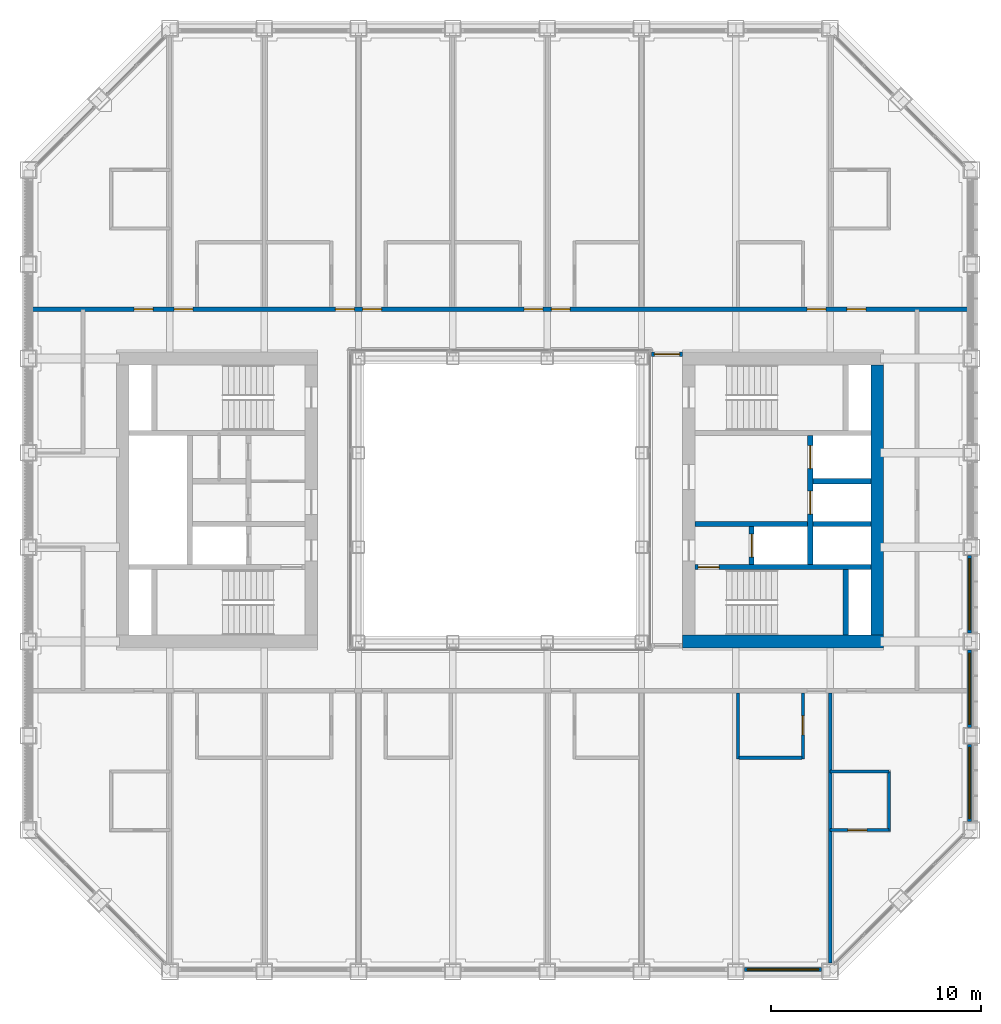
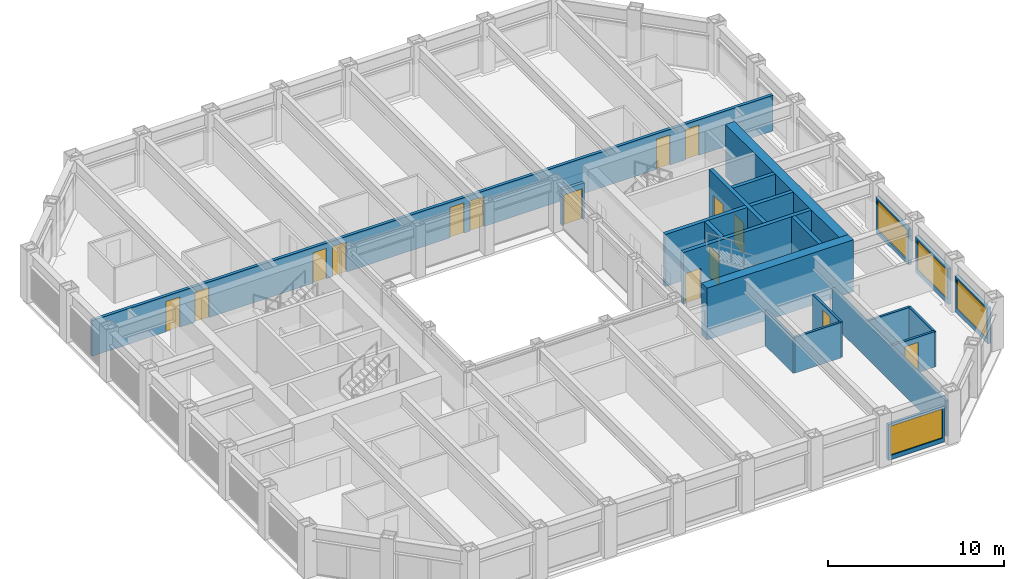
# One storey, part 12 of 17: 22 walls, 15 doors, 4 windows, 19 openings.
"""IFC4 building model written with IfcOpenShell, lengths in metres."""

from ifc_helpers import new_model, si_unit, direction, frame, frame_2d, origin, place, context, subcontext, project, spatial, rectangle, extrude, material, layer, layer_set, type_object, element, fill, save


model = new_model("IFC4")

# Units and contexts
model_context = context("Model", 3, precision=1e-05, world=origin(), true_north=direction((0.0, 1.0)))
body_context = subcontext(model_context, "Body", "Model", "MODEL_VIEW")
ifc_project = project(units=[si_unit("LENGTHUNIT", "METRE"), si_unit("AREAUNIT", "SQUARE_METRE"), si_unit("VOLUMEUNIT", "CUBIC_METRE"), si_unit("PLANEANGLEUNIT", "RADIAN"), si_unit("MASSUNIT", "GRAM", prefix="KILO")], contexts=[model_context])

# Site, building, storey
site_placement = place(None, origin())
site = spatial("IfcSite", under=ifc_project, at=site_placement, CompositionType="ELEMENT")
building_placement = place(site_placement, origin())
building = spatial("IfcBuilding", under=site, at=building_placement, Name="Msasa Ring Tower", CompositionType="ELEMENT")
storey_placement = place(building_placement, frame((0.0, 0.0, 140.0)))
storey = spatial("IfcBuildingStorey", under=building, at=storey_placement, Name="L36", CompositionType="ELEMENT", Elevation=140.0)

# Walls
ifc_material_1 = material(Name="Concrete C60/75", Category="concrete")
ifc_layer_1 = layer(ifc_material_1, 0.60009765625)
ifc_layer_set_1 = layer_set([ifc_layer_1], Name="CW2 CORE WALL 600")
wall_type_1 = type_object("IfcWallType", Name="CW2 CORE WALL 600", PredefinedType="SHEAR", material=ifc_layer_set_1)
wall_1_placement = place(storey_placement, frame((8.699951171875, -6.75, 0.0), z_axis=(0.0, 0.0, 1.0), x_axis=(1.0, 0.0, 0.0)))
element("IfcWall", 1, at=wall_1_placement, inside=storey, type_object=wall_type_1, Name="E core wall S L36", PredefinedType="SHEAR", context=body_context, shape_type="SweptSolid", body=[
    extrude(rectangle(XDim=9.60009765625, YDim=0.60009765625, at=frame_2d((4.800048828125, 0.0))), origin(), (0.0, 0.0, 1.0), 3.60009765625),
])
wall_2_placement = place(storey_placement, frame((18.0, -6.449951171875, 0.0), z_axis=(0.0, 0.0, 1.0), x_axis=(0.0, 1.0, 0.0)))
element("IfcWall", 2, at=wall_2_placement, inside=storey, type_object=wall_type_1, Name="E core wall E L36", PredefinedType="SHEAR", context=body_context, shape_type="SweptSolid", body=[
    extrude(rectangle(XDim=12.89990234375, YDim=0.60009765625, at=frame_2d((6.449951171875, 0.0))), origin(), (0.0, 0.0, 1.0), 3.60009765625),
])

# Wall, opening, door
ifc_material_2 = material(Name="Concrete C60/75", Category="concrete")
ifc_layer_2 = layer(ifc_material_2, 0.25)
ifc_layer_set_2 = layer_set([ifc_layer_2], Name="CW4 CORE INNER WALL 250")
wall_type_2 = type_object("IfcWallType", Name="CW4 CORE INNER WALL 250", PredefinedType="SHEAR", material=ifc_layer_set_2)
wall_3_placement = place(storey_placement, frame((9.300048828125, -3.199951171875, 0.0), z_axis=(0.0, 0.0, 1.0), x_axis=(1.0, 0.0, 0.0)))
wall_3 = element("IfcWall", 3, at=wall_3_placement, inside=storey, type_object=wall_type_2, Name="E core wall STAIRA L36", PredefinedType="SHEAR", context=body_context, shape_type="SweptSolid", body=[
    extrude(rectangle(XDim=8.39990234375, YDim=0.25, at=frame_2d((4.199951171875, 0.0))), origin(), (0.0, 0.0, 1.0), 3.60009765625),
])
opening_1_placement = place(wall_3_placement, frame((0.14990234375, 0.0, 0.0)))
opening_1 = element("IfcOpeningElement", 4, at=opening_1_placement, cuts=wall_3, Name="Opening HC-031", PredefinedType="OPENING", context=body_context, shape_type="SweptSolid", body=[
    extrude(rectangle(XDim=1.0, YDim=2.10009765625, at=frame_2d((0.5, 1.050048828125))), frame((0.0, 0.135009765625, 0.0), z_axis=(0.0, -1.0, 0.0), x_axis=(1.0, 0.0, 0.0)), (0.0, 0.0, 1.0), 0.27001953125),
])
ifc_material_3 = material(Name="Timber door leaf in a steel frame", Category="steel")
door_type_1 = type_object("IfcDoorType", Name="D6 STAIR DOOR 1000x2100", OperationType="SINGLE_SWING_LEFT", PredefinedType="DOOR", material=ifc_material_3)
door_1_placement = place(opening_1_placement, origin())
door_1 = element("IfcDoor", 5, at=door_1_placement, inside=storey, type_object=door_type_1, Name="Door L36-ESTA", OperationType="SINGLE_SWING_LEFT", OverallHeight=2.10009765625, OverallWidth=1.0, PredefinedType="DOOR", context=body_context, shape_type="SweptSolid", body=[
    extrude(rectangle(XDim=1.0, YDim=2.10009765625, at=frame_2d((0.5, 1.050048828125))), frame((0.0, 0.02490234375, 0.0), z_axis=(0.0, -1.0, 0.0), x_axis=(1.0, 0.0, 0.0)), (0.0, 0.0, 1.0), 0.050048828125),
])
fill(opening_1, door_1)

# Walls
wall_4_placement = place(storey_placement, frame((16.5, -6.449951171875, 0.0), z_axis=(0.0, 0.0, 1.0), x_axis=(0.0, 1.0, 0.0)))
element("IfcWall", 6, at=wall_4_placement, inside=storey, type_object=wall_type_2, Name="E core wall RISERA L36", PredefinedType="SHEAR", context=body_context, shape_type="SweptSolid", body=[
    extrude(rectangle(XDim=3.125, YDim=0.25, at=frame_2d((1.5625, 0.0))), origin(), (0.0, 0.0, 1.0), 3.60009765625),
])
wall_5_placement = place(storey_placement, frame((9.300048828125, -1.14990234375, 0.0), z_axis=(0.0, 0.0, 1.0), x_axis=(1.0, 0.0, 0.0)))
element("IfcWall", 7, at=wall_5_placement, inside=storey, type_object=wall_type_2, Name="E core wall FFL L36", PredefinedType="SHEAR", context=body_context, shape_type="SweptSolid", body=[
    extrude(rectangle(XDim=5.375, YDim=0.25, at=frame_2d((2.6875, 0.0))), origin(), (0.0, 0.0, 1.0), 3.60009765625),
])

# Wall, opening, door
wall_6_placement = place(storey_placement, frame((12.0, -3.074951171875, 0.0), z_axis=(0.0, 0.0, 1.0), x_axis=(0.0, 1.0, 0.0)))
wall_6 = element("IfcWall", 8, at=wall_6_placement, inside=storey, type_object=wall_type_2, Name="E core wall LOBBY L36", PredefinedType="SHEAR", context=body_context, shape_type="SweptSolid", body=[
    extrude(rectangle(XDim=1.800048828125, YDim=0.25, at=frame_2d((0.89990234375, 0.0))), origin(), (0.0, 0.0, 1.0), 3.60009765625),
])
opening_2_placement = place(wall_6_placement, frame((0.35009765625, 0.0, 0.0)))
opening_2 = element("IfcOpeningElement", 9, at=opening_2_placement, cuts=wall_6, Name="Opening LD1", PredefinedType="OPENING", context=body_context, shape_type="SweptSolid", body=[
    extrude(rectangle(XDim=1.10009765625, YDim=2.10009765625, at=frame_2d((0.550048828125, 1.050048828125))), frame((0.0, 0.135009765625, 0.0), z_axis=(0.0, -1.0, 0.0), x_axis=(1.0, 0.0, 0.0)), (0.0, 0.0, 1.0), 0.27001953125),
])
ifc_material_4 = material(Name="Stainless steel lift landing door", Category="steel")
door_type_2 = type_object("IfcDoorType", Name="LD1 LIFT LANDING DOOR 1100x2100", OperationType="DOUBLE_DOOR_SLIDING", PredefinedType="DOOR", material=ifc_material_4)
door_2_placement = place(opening_2_placement, origin())
door_2 = element("IfcDoor", 10, at=door_2_placement, inside=storey, type_object=door_type_2, Name="Lift landing door FL-E L36", OperationType="DOUBLE_DOOR_SLIDING", OverallHeight=2.10009765625, OverallWidth=1.10009765625, PredefinedType="DOOR", context=body_context, shape_type="SweptSolid", body=[
    extrude(rectangle(XDim=1.10009765625, YDim=2.10009765625, at=frame_2d((0.550048828125, 1.050048828125))), frame((0.0, 0.02490234375, 0.0), z_axis=(0.0, -1.0, 0.0), x_axis=(1.0, 0.0, 0.0)), (0.0, 0.0, 1.0), 0.050048828125),
])
fill(opening_2, door_2)

# Wall, openings, doors
wall_7_placement = place(storey_placement, frame((14.800048828125, -3.074951171875, 0.0), z_axis=(0.0, 0.0, 1.0), x_axis=(0.0, 1.0, 0.0)))
wall_7 = element("IfcWall", 11, at=wall_7_placement, inside=storey, type_object=wall_type_2, Name="E core wall SHAFT L36", PredefinedType="SHEAR", context=body_context, shape_type="SweptSolid", body=[
    extrude(rectangle(XDim=6.14990234375, YDim=0.25, at=frame_2d((3.074951171875, 0.0))), origin(), (0.0, 0.0, 1.0), 3.60009765625),
])
opening_3_placement = place(wall_7_placement, frame((2.39990234375, 0.0, 0.0)))
opening_3 = element("IfcOpeningElement", 12, at=opening_3_placement, cuts=wall_7, Name="Opening LD1", PredefinedType="OPENING", context=body_context, shape_type="SweptSolid", body=[
    extrude(rectangle(XDim=1.10009765625, YDim=2.10009765625, at=frame_2d((0.550048828125, 1.050048828125))), frame((0.0, 0.135009765625, 0.0), z_axis=(0.0, -1.0, 0.0), x_axis=(1.0, 0.0, 0.0)), (0.0, 0.0, 1.0), 0.27001953125),
])
opening_4_placement = place(wall_7_placement, frame((4.574951171875, 0.0, 0.0)))
opening_4 = element("IfcOpeningElement", 13, at=opening_4_placement, cuts=wall_7, Name="Opening LD1", PredefinedType="OPENING", context=body_context, shape_type="SweptSolid", body=[
    extrude(rectangle(XDim=1.10009765625, YDim=2.10009765625, at=frame_2d((0.550048828125, 1.050048828125))), frame((0.0, 0.135009765625, 0.0), z_axis=(0.0, -1.0, 0.0), x_axis=(1.0, 0.0, 0.0)), (0.0, 0.0, 1.0), 0.27001953125),
])
door_3_placement = place(opening_3_placement, origin())
door_3 = element("IfcDoor", 14, at=door_3_placement, inside=storey, type_object=door_type_2, Name="Lift landing door PL-H1 L36", OperationType="DOUBLE_DOOR_SLIDING", OverallHeight=2.10009765625, OverallWidth=1.10009765625, PredefinedType="DOOR", context=body_context, shape_type="SweptSolid", body=[
    extrude(rectangle(XDim=1.10009765625, YDim=2.10009765625, at=frame_2d((0.550048828125, 1.050048828125))), frame((0.0, 0.02490234375, 0.0), z_axis=(0.0, -1.0, 0.0), x_axis=(1.0, 0.0, 0.0)), (0.0, 0.0, 1.0), 0.050048828125),
])
fill(opening_3, door_3)
door_4_placement = place(opening_4_placement, origin())
door_4 = element("IfcDoor", 15, at=door_4_placement, inside=storey, type_object=door_type_2, Name="Lift landing door PL-H2 L36", OperationType="DOUBLE_DOOR_SLIDING", OverallHeight=2.10009765625, OverallWidth=1.10009765625, PredefinedType="DOOR", context=body_context, shape_type="SweptSolid", body=[
    extrude(rectangle(XDim=1.10009765625, YDim=2.10009765625, at=frame_2d((0.550048828125, 1.050048828125))), frame((0.0, 0.02490234375, 0.0), z_axis=(0.0, -1.0, 0.0), x_axis=(1.0, 0.0, 0.0)), (0.0, 0.0, 1.0), 0.050048828125),
])
fill(opening_4, door_4)

# Walls
for number, where, z_axis, x_axis, name in (
    (16, (14.925048828125, -1.14990234375, 0.0), (0.0, 0.0, 1.0), (1.0, 0.0, 0.0), "E core wall HSEP L36"),
    (17, (14.925048828125, 0.89990234375, 0.0), (0.0, 0.0, 1.0), (1.0, 0.0, 0.0), "E core wall HLIFT L36"),
):
    element("IfcWall", number, at=place(storey_placement, frame(where, z_axis=z_axis, x_axis=x_axis)), inside=storey, type_object=wall_type_2, Name=name, PredefinedType="SHEAR", context=body_context, shape_type="SweptSolid", body=[
        extrude(rectangle(XDim=2.77490234375, YDim=0.25, at=frame_2d((1.387451171875, 0.0))), origin(), (0.0, 0.0, 1.0), 3.60009765625),
    ])

# Wall, opening, window
ifc_material_5 = material(Name="Terracotta rainscreen on blockwork", Category="masonry")
ifc_layer_3 = layer(ifc_material_5, 0.199951171875)
ifc_layer_set_3 = layer_set([ifc_layer_3], Name="FW1 TERRACOTTA-LINED INFILL BAY WALL 200")
wall_type_3 = type_object("IfcWallType", Name="FW1 TERRACOTTA-LINED INFILL BAY WALL 200", PredefinedType="SOLIDWALL", material=ifc_layer_set_3)
wall_8_placement = place(storey_placement, frame((11.655029296875, -22.39990234375, 0.0), z_axis=(0.0, 0.0, 1.0), x_axis=(1.0, 0.0, 0.0)))
wall_8 = element("IfcWall", 18, at=wall_8_placement, inside=storey, type_object=wall_type_3, Name="Infill bay wall S L36 06", PredefinedType="SOLIDWALL", context=body_context, shape_type="SweptSolid", body=[
    extrude(rectangle(XDim=3.68994140625, YDim=0.199951171875, at=frame_2d((1.844970703125, 0.0))), origin(), (0.0, 0.0, 1.0), 2.47900390625),
])
opening_5_placement = place(wall_8_placement, frame((0.14501953125, 0.0, 0.300048828125)))
opening_5 = element("IfcOpeningElement", 19, at=opening_5_placement, cuts=wall_8, Name="Opening WN2", PredefinedType="OPENING", context=body_context, shape_type="SweptSolid", body=[
    extrude(rectangle(XDim=3.39990234375, YDim=2.029052734375, at=frame_2d((1.699951171875, 1.0146484375))), frame((0.0, 0.10986328125, 0.0), z_axis=(0.0, -1.0, 0.0), x_axis=(1.0, 0.0, 0.0)), (0.0, 0.0, 1.0), 0.219970703125),
])
ifc_material_6 = material(Name="Aluminium frame with clear glass", Category="aluminium")
window_type = type_object("IfcWindowType", Name="WN2 GUEST ROOM WINDOW 3400x2029", PartitioningType="SINGLE_PANEL", PredefinedType="WINDOW", material=ifc_material_6)
window_1_placement = place(opening_5_placement, origin())
window_1 = element("IfcWindow", 20, at=window_1_placement, inside=storey, type_object=window_type, Name="Window S L36 06", OverallHeight=2.029052734375, OverallWidth=3.39990234375, PartitioningType="SINGLE_PANEL", PredefinedType="WINDOW", context=body_context, shape_type="SweptSolid", body=[
    extrude(rectangle(XDim=3.39990234375, YDim=2.029052734375, at=frame_2d((1.699951171875, 1.0146484375))), frame((0.0, 0.030029296875, 0.0), z_axis=(0.0, -1.0, 0.0), x_axis=(1.0, 0.0, 0.0)), (0.0, 0.0, 1.0), 0.06005859375),
])
fill(opening_5, window_1)

wall_9_placement = place(storey_placement, frame((22.39990234375, -15.344970703125, 0.0), z_axis=(0.0, 0.0, 1.0), x_axis=(0.0, 1.0, 0.0)))
wall_9 = element("IfcWall", 21, at=wall_9_placement, inside=storey, type_object=wall_type_3, Name="Infill bay wall E L36 09", PredefinedType="SOLIDWALL", context=body_context, shape_type="SweptSolid", body=[
    extrude(rectangle(XDim=3.68994140625, YDim=0.199951171875, at=frame_2d((1.844970703125, 0.0))), origin(), (0.0, 0.0, 1.0), 2.47900390625),
])
opening_6_placement = place(wall_9_placement, frame((0.14501953125, 0.0, 0.300048828125)))
opening_6 = element("IfcOpeningElement", 22, at=opening_6_placement, cuts=wall_9, Name="Opening WN2", PredefinedType="OPENING", context=body_context, shape_type="SweptSolid", body=[
    extrude(rectangle(XDim=3.39990234375, YDim=2.029052734375, at=frame_2d((1.699951171875, 1.0146484375))), frame((0.0, 0.10986328125, 0.0), z_axis=(0.0, -1.0, 0.0), x_axis=(1.0, 0.0, 0.0)), (0.0, 0.0, 1.0), 0.219970703125),
])
window_2_placement = place(opening_6_placement, origin())
window_2 = element("IfcWindow", 23, at=window_2_placement, inside=storey, type_object=window_type, Name="Window E L36 09", OverallHeight=2.029052734375, OverallWidth=3.39990234375, PartitioningType="SINGLE_PANEL", PredefinedType="WINDOW", context=body_context, shape_type="SweptSolid", body=[
    extrude(rectangle(XDim=3.39990234375, YDim=2.029052734375, at=frame_2d((1.699951171875, 1.0146484375))), frame((0.0, 0.030029296875, 0.0), z_axis=(0.0, -1.0, 0.0), x_axis=(1.0, 0.0, 0.0)), (0.0, 0.0, 1.0), 0.06005859375),
])
fill(opening_6, window_2)

wall_10_placement = place(storey_placement, frame((22.39990234375, -10.844970703125, 0.0), z_axis=(0.0, 0.0, 1.0), x_axis=(0.0, 1.0, 0.0)))
wall_10 = element("IfcWall", 24, at=wall_10_placement, inside=storey, type_object=wall_type_3, Name="Infill bay wall E L36 10", PredefinedType="SOLIDWALL", context=body_context, shape_type="SweptSolid", body=[
    extrude(rectangle(XDim=3.68994140625, YDim=0.199951171875, at=frame_2d((1.844970703125, 0.0))), origin(), (0.0, 0.0, 1.0), 2.47900390625),
])
opening_7_placement = place(wall_10_placement, frame((0.14501953125, 0.0, 0.300048828125)))
opening_7 = element("IfcOpeningElement", 25, at=opening_7_placement, cuts=wall_10, Name="Opening WN2", PredefinedType="OPENING", context=body_context, shape_type="SweptSolid", body=[
    extrude(rectangle(XDim=3.39990234375, YDim=2.029052734375, at=frame_2d((1.699951171875, 1.0146484375))), frame((0.0, 0.10986328125, 0.0), z_axis=(0.0, -1.0, 0.0), x_axis=(1.0, 0.0, 0.0)), (0.0, 0.0, 1.0), 0.219970703125),
])
window_3_placement = place(opening_7_placement, origin())
window_3 = element("IfcWindow", 26, at=window_3_placement, inside=storey, type_object=window_type, Name="Window E L36 10", OverallHeight=2.029052734375, OverallWidth=3.39990234375, PartitioningType="SINGLE_PANEL", PredefinedType="WINDOW", context=body_context, shape_type="SweptSolid", body=[
    extrude(rectangle(XDim=3.39990234375, YDim=2.029052734375, at=frame_2d((1.699951171875, 1.0146484375))), frame((0.0, 0.030029296875, 0.0), z_axis=(0.0, -1.0, 0.0), x_axis=(1.0, 0.0, 0.0)), (0.0, 0.0, 1.0), 0.06005859375),
])
fill(opening_7, window_3)

wall_11_placement = place(storey_placement, frame((22.39990234375, -6.344970703125, 0.0), z_axis=(0.0, 0.0, 1.0), x_axis=(0.0, 1.0, 0.0)))
wall_11 = element("IfcWall", 27, at=wall_11_placement, inside=storey, type_object=wall_type_3, Name="Infill bay wall E L36 11", PredefinedType="SOLIDWALL", context=body_context, shape_type="SweptSolid", body=[
    extrude(rectangle(XDim=3.68994140625, YDim=0.199951171875, at=frame_2d((1.844970703125, 0.0))), origin(), (0.0, 0.0, 1.0), 2.47900390625),
])
opening_8_placement = place(wall_11_placement, frame((0.14501953125, 0.0, 0.300048828125)))
opening_8 = element("IfcOpeningElement", 28, at=opening_8_placement, cuts=wall_11, Name="Opening WN2", PredefinedType="OPENING", context=body_context, shape_type="SweptSolid", body=[
    extrude(rectangle(XDim=3.39990234375, YDim=2.029052734375, at=frame_2d((1.699951171875, 1.0146484375))), frame((0.0, 0.10986328125, 0.0), z_axis=(0.0, -1.0, 0.0), x_axis=(1.0, 0.0, 0.0)), (0.0, 0.0, 1.0), 0.219970703125),
])
window_4_placement = place(opening_8_placement, origin())
window_4 = element("IfcWindow", 29, at=window_4_placement, inside=storey, type_object=window_type, Name="Window E L36 11", OverallHeight=2.029052734375, OverallWidth=3.39990234375, PartitioningType="SINGLE_PANEL", PredefinedType="WINDOW", context=body_context, shape_type="SweptSolid", body=[
    extrude(rectangle(XDim=3.39990234375, YDim=2.029052734375, at=frame_2d((1.699951171875, 1.0146484375))), frame((0.0, 0.030029296875, 0.0), z_axis=(0.0, -1.0, 0.0), x_axis=(1.0, 0.0, 0.0)), (0.0, 0.0, 1.0), 0.06005859375),
])
fill(opening_8, window_4)

# Wall, opening, door
ifc_material_7 = material(Name="Concrete blockwork", Category="masonry")
ifc_layer_4 = layer(ifc_material_7, 0.199951171875)
ifc_layer_set_4 = layer_set([ifc_layer_4], Name="PT1 CORRIDOR WALL 200")
wall_type_4 = type_object("IfcWallType", Name="PT1 CORRIDOR WALL 200", PredefinedType="PARTITIONING", material=ifc_layer_set_4)
wall_12_placement = place(storey_placement, frame((7.22998046875, 6.949951171875, 0.0), z_axis=(0.0, 0.0, 1.0), x_axis=(1.0, 0.0, 0.0)))
wall_12 = element("IfcWall", 30, at=wall_12_placement, inside=storey, type_object=wall_type_4, Name="Corridor wall L36-SDEN", PredefinedType="PARTITIONING", context=body_context, shape_type="SweptSolid", body=[
    extrude(rectangle(XDim=1.469970703125, YDim=0.199951171875, at=frame_2d((0.73486328125, 0.0))), origin(), (0.0, 0.0, 1.0), 2.473388671875),
])
opening_9_placement = place(wall_12_placement, frame((0.135009765625, 0.0, 0.0)))
opening_9 = element("IfcOpeningElement", 31, at=opening_9_placement, cuts=wall_12, Name="Opening HC-017", PredefinedType="OPENING", context=body_context, shape_type="SweptSolid", body=[
    extrude(rectangle(XDim=1.199951171875, YDim=2.10009765625, at=frame_2d((0.60009765625, 1.050048828125))), frame((0.0, 0.10986328125, 0.0), z_axis=(0.0, -1.0, 0.0), x_axis=(1.0, 0.0, 0.0)), (0.0, 0.0, 1.0), 0.219970703125),
])
ifc_material_8 = material(Name="Timber door leaf in a steel frame", Category="steel")
door_type_3 = type_object("IfcDoorType", Name="D25 CORRIDOR PAIR OF SMOKE DOORS 1200x2100", OperationType="DOUBLE_DOOR_DOUBLE_SWING", PredefinedType="DOOR", material=ifc_material_8)
door_5_placement = place(opening_9_placement, origin())
door_5 = element("IfcDoor", 32, at=door_5_placement, inside=storey, type_object=door_type_3, Name="Door L36-SDEN", OperationType="DOUBLE_DOOR_DOUBLE_SWING", OverallHeight=2.10009765625, OverallWidth=1.199951171875, PredefinedType="DOOR", context=body_context, shape_type="SweptSolid", body=[
    extrude(rectangle(XDim=1.199951171875, YDim=2.10009765625, at=frame_2d((0.60009765625, 1.050048828125))), frame((0.0, 0.02490234375, 0.0), z_axis=(0.0, -1.0, 0.0), x_axis=(1.0, 0.0, 0.0)), (0.0, 0.0, 1.0), 0.050048828125),
])
fill(opening_9, door_5)

# Wall, openings, doors
wall_13_placement = place(storey_placement, frame((-22.300048828125, 9.10009765625, 0.0), z_axis=(0.0, 0.0, 1.0), x_axis=(1.0, 0.0, 0.0)))
wall_13 = element("IfcWall", 33, at=wall_13_placement, inside=storey, type_object=wall_type_4, Name="Corridor wall L36-CORRN0", PredefinedType="PARTITIONING", context=body_context, shape_type="SweptSolid", body=[
    extrude(rectangle(XDim=44.60009765625, YDim=0.199951171875, at=frame_2d((22.300048828125, 0.0))), origin(), (0.0, 0.0, 1.0), 2.473388671875),
])
opening_10_placement = place(wall_13_placement, frame((6.75, 0.0, 0.0)))
opening_10 = element("IfcOpeningElement", 34, at=opening_10_placement, cuts=wall_13, Name="Opening HC-010", PredefinedType="OPENING", context=body_context, shape_type="SweptSolid", body=[
    extrude(rectangle(XDim=0.89990234375, YDim=2.10009765625, at=frame_2d((0.449951171875, 1.050048828125))), frame((0.0, 0.10986328125, 0.0), z_axis=(0.0, -1.0, 0.0), x_axis=(1.0, 0.0, 0.0)), (0.0, 0.0, 1.0), 0.219970703125),
])
opening_11_placement = place(wall_13_placement, frame((14.449951171875, 0.0, 0.0)))
opening_11 = element("IfcOpeningElement", 35, at=opening_11_placement, cuts=wall_13, Name="Opening HC-011", PredefinedType="OPENING", context=body_context, shape_type="SweptSolid", body=[
    extrude(rectangle(XDim=0.89990234375, YDim=2.10009765625, at=frame_2d((0.449951171875, 1.050048828125))), frame((0.0, 0.10986328125, 0.0), z_axis=(0.0, -1.0, 0.0), x_axis=(1.0, 0.0, 0.0)), (0.0, 0.0, 1.0), 0.219970703125),
])
opening_12_placement = place(wall_13_placement, frame((15.75, 0.0, 0.0)))
opening_12 = element("IfcOpeningElement", 36, at=opening_12_placement, cuts=wall_13, Name="Opening HC-012", PredefinedType="OPENING", context=body_context, shape_type="SweptSolid", body=[
    extrude(rectangle(XDim=0.89990234375, YDim=2.10009765625, at=frame_2d((0.449951171875, 1.050048828125))), frame((0.0, 0.10986328125, 0.0), z_axis=(0.0, -1.0, 0.0), x_axis=(1.0, 0.0, 0.0)), (0.0, 0.0, 1.0), 0.219970703125),
])
opening_13_placement = place(wall_13_placement, frame((23.449951171875, 0.0, 0.0)))
opening_13 = element("IfcOpeningElement", 37, at=opening_13_placement, cuts=wall_13, Name="Opening HC-013", PredefinedType="OPENING", context=body_context, shape_type="SweptSolid", body=[
    extrude(rectangle(XDim=0.89990234375, YDim=2.10009765625, at=frame_2d((0.449951171875, 1.050048828125))), frame((0.0, 0.10986328125, 0.0), z_axis=(0.0, -1.0, 0.0), x_axis=(1.0, 0.0, 0.0)), (0.0, 0.0, 1.0), 0.219970703125),
])
opening_14_placement = place(wall_13_placement, frame((24.75, 0.0, 0.0)))
opening_14 = element("IfcOpeningElement", 38, at=opening_14_placement, cuts=wall_13, Name="Opening HC-014", PredefinedType="OPENING", context=body_context, shape_type="SweptSolid", body=[
    extrude(rectangle(XDim=0.89990234375, YDim=2.10009765625, at=frame_2d((0.449951171875, 1.050048828125))), frame((0.0, 0.10986328125, 0.0), z_axis=(0.0, -1.0, 0.0), x_axis=(1.0, 0.0, 0.0)), (0.0, 0.0, 1.0), 0.219970703125),
])
opening_15_placement = place(wall_13_placement, frame((36.949951171875, 0.0, 0.0)))
opening_15 = element("IfcOpeningElement", 39, at=opening_15_placement, cuts=wall_13, Name="Opening HC-015", PredefinedType="OPENING", context=body_context, shape_type="SweptSolid", body=[
    extrude(rectangle(XDim=0.89990234375, YDim=2.10009765625, at=frame_2d((0.449951171875, 1.050048828125))), frame((0.0, 0.10986328125, 0.0), z_axis=(0.0, -1.0, 0.0), x_axis=(1.0, 0.0, 0.0)), (0.0, 0.0, 1.0), 0.219970703125),
])
opening_16_placement = place(wall_13_placement, frame((38.85009765625, 0.0, 0.0)))
opening_16 = element("IfcOpeningElement", 40, at=opening_16_placement, cuts=wall_13, Name="Opening HC-016", PredefinedType="OPENING", context=body_context, shape_type="SweptSolid", body=[
    extrude(rectangle(XDim=0.89990234375, YDim=2.10009765625, at=frame_2d((0.449951171875, 1.050048828125))), frame((0.0, 0.10986328125, 0.0), z_axis=(0.0, -1.0, 0.0), x_axis=(1.0, 0.0, 0.0)), (0.0, 0.0, 1.0), 0.219970703125),
])
opening_17_placement = place(wall_13_placement, frame((4.85009765625, 0.0, 0.0)))
opening_17 = element("IfcOpeningElement", 41, at=opening_17_placement, cuts=wall_13, Name="Opening HC-009", PredefinedType="OPENING", context=body_context, shape_type="SweptSolid", body=[
    extrude(rectangle(XDim=0.89990234375, YDim=2.10009765625, at=frame_2d((0.449951171875, 1.050048828125))), frame((0.0, 0.10986328125, 0.0), z_axis=(0.0, -1.0, 0.0), x_axis=(1.0, 0.0, 0.0)), (0.0, 0.0, 1.0), 0.219970703125),
])
ifc_material_9 = material(Name="Timber door leaf in a steel frame", Category="steel")
door_type_4 = type_object("IfcDoorType", Name="D1 SINGLE DOOR TO CORRIDOR 900x2100", OperationType="SINGLE_SWING_LEFT", PredefinedType="DOOR", material=ifc_material_9)
door_6_placement = place(opening_10_placement, origin())
door_6 = element("IfcDoor", 42, at=door_6_placement, inside=storey, type_object=door_type_4, Name="Door L36-GN00", OperationType="SINGLE_SWING_LEFT", OverallHeight=2.10009765625, OverallWidth=0.89990234375, PredefinedType="DOOR", context=body_context, shape_type="SweptSolid", body=[
    extrude(rectangle(XDim=0.89990234375, YDim=2.10009765625, at=frame_2d((0.449951171875, 1.050048828125))), frame((0.0, 0.02490234375, 0.0), z_axis=(0.0, -1.0, 0.0), x_axis=(1.0, 0.0, 0.0)), (0.0, 0.0, 1.0), 0.050048828125),
])
fill(opening_10, door_6)
door_7_placement = place(opening_11_placement, origin())
door_7 = element("IfcDoor", 43, at=door_7_placement, inside=storey, type_object=door_type_4, Name="Door L36-GN01", OperationType="SINGLE_SWING_LEFT", OverallHeight=2.10009765625, OverallWidth=0.89990234375, PredefinedType="DOOR", context=body_context, shape_type="SweptSolid", body=[
    extrude(rectangle(XDim=0.89990234375, YDim=2.10009765625, at=frame_2d((0.449951171875, 1.050048828125))), frame((0.0, 0.02490234375, 0.0), z_axis=(0.0, -1.0, 0.0), x_axis=(1.0, 0.0, 0.0)), (0.0, 0.0, 1.0), 0.050048828125),
])
fill(opening_11, door_7)
door_8_placement = place(opening_12_placement, origin())
door_8 = element("IfcDoor", 44, at=door_8_placement, inside=storey, type_object=door_type_4, Name="Door L36-GN02", OperationType="SINGLE_SWING_LEFT", OverallHeight=2.10009765625, OverallWidth=0.89990234375, PredefinedType="DOOR", context=body_context, shape_type="SweptSolid", body=[
    extrude(rectangle(XDim=0.89990234375, YDim=2.10009765625, at=frame_2d((0.449951171875, 1.050048828125))), frame((0.0, 0.02490234375, 0.0), z_axis=(0.0, -1.0, 0.0), x_axis=(1.0, 0.0, 0.0)), (0.0, 0.0, 1.0), 0.050048828125),
])
fill(opening_12, door_8)
door_9_placement = place(opening_13_placement, origin())
door_9 = element("IfcDoor", 45, at=door_9_placement, inside=storey, type_object=door_type_4, Name="Door L36-GN03", OperationType="SINGLE_SWING_RIGHT", OverallHeight=2.10009765625, OverallWidth=0.89990234375, PredefinedType="DOOR", context=body_context, shape_type="SweptSolid", body=[
    extrude(rectangle(XDim=0.89990234375, YDim=2.10009765625, at=frame_2d((0.449951171875, 1.050048828125))), frame((0.0, 0.02490234375, 0.0), z_axis=(0.0, -1.0, 0.0), x_axis=(1.0, 0.0, 0.0)), (0.0, 0.0, 1.0), 0.050048828125),
])
fill(opening_13, door_9)
door_10_placement = place(opening_14_placement, origin())
door_10 = element("IfcDoor", 46, at=door_10_placement, inside=storey, type_object=door_type_4, Name="Door L36-GN04", OperationType="SINGLE_SWING_RIGHT", OverallHeight=2.10009765625, OverallWidth=0.89990234375, PredefinedType="DOOR", context=body_context, shape_type="SweptSolid", body=[
    extrude(rectangle(XDim=0.89990234375, YDim=2.10009765625, at=frame_2d((0.449951171875, 1.050048828125))), frame((0.0, 0.02490234375, 0.0), z_axis=(0.0, -1.0, 0.0), x_axis=(1.0, 0.0, 0.0)), (0.0, 0.0, 1.0), 0.050048828125),
])
fill(opening_14, door_10)
door_11_placement = place(opening_15_placement, origin())
door_11 = element("IfcDoor", 47, at=door_11_placement, inside=storey, type_object=door_type_4, Name="Door L36-GN05", OperationType="SINGLE_SWING_RIGHT", OverallHeight=2.10009765625, OverallWidth=0.89990234375, PredefinedType="DOOR", context=body_context, shape_type="SweptSolid", body=[
    extrude(rectangle(XDim=0.89990234375, YDim=2.10009765625, at=frame_2d((0.449951171875, 1.050048828125))), frame((0.0, 0.02490234375, 0.0), z_axis=(0.0, -1.0, 0.0), x_axis=(1.0, 0.0, 0.0)), (0.0, 0.0, 1.0), 0.050048828125),
])
fill(opening_15, door_11)
ifc_material_10 = material(Name="Timber door leaf in a steel frame", Category="steel")
door_type_5 = type_object("IfcDoorType", Name="D2 ENTRANCE DOOR 900x2100", OperationType="SINGLE_SWING_LEFT", PredefinedType="DOOR", material=ifc_material_10)
door_12_placement = place(opening_16_placement, origin())
door_12 = element("IfcDoor", 48, at=door_12_placement, inside=storey, type_object=door_type_5, Name="Door L36-CSNE", OperationType="SINGLE_SWING_RIGHT", OverallHeight=2.10009765625, OverallWidth=0.89990234375, PredefinedType="DOOR", context=body_context, shape_type="SweptSolid", body=[
    extrude(rectangle(XDim=0.89990234375, YDim=2.10009765625, at=frame_2d((0.449951171875, 1.050048828125))), frame((0.0, 0.02490234375, 0.0), z_axis=(0.0, -1.0, 0.0), x_axis=(1.0, 0.0, 0.0)), (0.0, 0.0, 1.0), 0.050048828125),
])
fill(opening_16, door_12)
door_13_placement = place(opening_17_placement, origin())
door_13 = element("IfcDoor", 49, at=door_13_placement, inside=storey, type_object=door_type_5, Name="Door L36-CSNW", OperationType="SINGLE_SWING_LEFT", OverallHeight=2.10009765625, OverallWidth=0.89990234375, PredefinedType="DOOR", context=body_context, shape_type="SweptSolid", body=[
    extrude(rectangle(XDim=0.89990234375, YDim=2.10009765625, at=frame_2d((0.449951171875, 1.050048828125))), frame((0.0, 0.02490234375, 0.0), z_axis=(0.0, -1.0, 0.0), x_axis=(1.0, 0.0, 0.0)), (0.0, 0.0, 1.0), 0.050048828125),
])
fill(opening_17, door_13)

# Wall, opening, door
ifc_material_11 = material(Name="Moisture-resistant board on steel studs with a concealed cistern and pipe void, tiled", Category="steel")
ifc_layer_5 = layer(ifc_material_11, 0.14990234375)
ifc_layer_set_5 = layer_set([ifc_layer_5], Name="PT4 BATHROOM WET WALL 150")
wall_type_5 = type_object("IfcWallType", Name="PT4 BATHROOM WET WALL 150", PredefinedType="PARTITIONING", material=ifc_layer_set_5)
wall_14_placement = place(storey_placement, frame((14.449951171875, -12.35009765625, 0.0), z_axis=(0.0, 0.0, 1.0), x_axis=(0.0, 1.0, 0.0)))
wall_14 = element("IfcWall", 50, at=wall_14_placement, inside=storey, type_object=wall_type_5, Name="Partition L36-GS04BX", PredefinedType="PARTITIONING", context=body_context, shape_type="SweptSolid", body=[
    extrude(rectangle(XDim=3.150146484375, YDim=0.14990234375, at=frame_2d((1.5751953125, 0.0))), origin(), (0.0, 0.0, 1.0), 2.473388671875),
])
opening_18_placement = place(wall_14_placement, frame((1.14990234375, 0.0, 0.0)))
opening_18 = element("IfcOpeningElement", 51, at=opening_18_placement, cuts=wall_14, Name="Opening HC-045", PredefinedType="OPENING", context=body_context, shape_type="SweptSolid", body=[
    extrude(rectangle(XDim=0.89990234375, YDim=2.10009765625, at=frame_2d((0.449951171875, 1.050048828125))), frame((0.0, 0.0849609375, 0.0), z_axis=(0.0, -1.0, 0.0), x_axis=(1.0, 0.0, 0.0)), (0.0, 0.0, 1.0), 0.169921875),
])
ifc_material_12 = material(Name="Timber door leaf in a steel frame", Category="steel")
door_type_6 = type_object("IfcDoorType", Name="D3 BATHROOM DOOR 900x2100", OperationType="SINGLE_SWING_LEFT", PredefinedType="DOOR", material=ifc_material_12)
door_14_placement = place(opening_18_placement, origin())
door_14 = element("IfcDoor", 52, at=door_14_placement, inside=storey, type_object=door_type_6, Name="Door L36-GS04B", OperationType="SINGLE_SWING_LEFT", OverallHeight=2.10009765625, OverallWidth=0.89990234375, PredefinedType="DOOR", context=body_context, shape_type="SweptSolid", body=[
    extrude(rectangle(XDim=0.89990234375, YDim=2.10009765625, at=frame_2d((0.449951171875, 1.050048828125))), frame((0.0, 0.02490234375, 0.0), z_axis=(0.0, -1.0, 0.0), x_axis=(1.0, 0.0, 0.0)), (0.0, 0.0, 1.0), 0.050048828125),
])
fill(opening_18, door_14)

# Walls
wall_15_placement = place(storey_placement, frame((11.35009765625, -12.35009765625, 0.0), z_axis=(0.0, 0.0, 1.0), x_axis=(0.0, 1.0, 0.0)))
element("IfcWall", 53, at=wall_15_placement, inside=storey, type_object=wall_type_5, Name="Partition L36-GS04BF", PredefinedType="PARTITIONING", context=body_context, shape_type="SweptSolid", body=[
    extrude(rectangle(XDim=3.150146484375, YDim=0.14990234375, at=frame_2d((1.5751953125, 0.0))), origin(), (0.0, 0.0, 1.0), 2.473388671875),
])
wall_16_placement = place(storey_placement, frame((11.39990234375, -12.300048828125, 0.0), z_axis=(0.0, 0.0, 1.0), x_axis=(1.0, 0.0, 0.0)))
element("IfcWall", 54, at=wall_16_placement, inside=storey, type_object=wall_type_5, Name="Partition L36-GS04BY", PredefinedType="PARTITIONING", context=body_context, shape_type="SweptSolid", body=[
    extrude(rectangle(XDim=3.0, YDim=0.14990234375, at=frame_2d((1.5, 0.0))), origin(), (0.0, 0.0, 1.0), 2.473388671875),
])
wall_17_placement = place(storey_placement, frame((18.550048828125, -15.824951171875, 0.0), z_axis=(0.0, 0.0, 1.0), x_axis=(0.0, 1.0, 0.0)))
element("IfcWall", 55, at=wall_17_placement, inside=storey, type_object=wall_type_5, Name="Partition L36-CSSEBX", PredefinedType="PARTITIONING", context=body_context, shape_type="SweptSolid", body=[
    extrude(rectangle(XDim=2.875, YDim=0.14990234375, at=frame_2d((1.4375, 0.0))), origin(), (0.0, 0.0, 1.0), 2.473388671875),
])
wall_18_placement = place(storey_placement, frame((15.75, -12.949951171875, 0.0), z_axis=(0.0, 0.0, 1.0), x_axis=(1.0, 0.0, 0.0)))
element("IfcWall", 56, at=wall_18_placement, inside=storey, type_object=wall_type_5, Name="Partition L36-CSSEBY", PredefinedType="PARTITIONING", context=body_context, shape_type="SweptSolid", body=[
    extrude(rectangle(XDim=2.800048828125, YDim=0.14990234375, at=frame_2d((1.39990234375, 0.0))), origin(), (0.0, 0.0, 1.0), 2.473388671875),
])

# Wall, opening, door
wall_19_placement = place(storey_placement, frame((15.75, -15.75, 0.0), z_axis=(0.0, 0.0, 1.0), x_axis=(1.0, 0.0, 0.0)))
wall_19 = element("IfcWall", 57, at=wall_19_placement, inside=storey, type_object=wall_type_5, Name="Partition L36-CSSEBZ", PredefinedType="PARTITIONING", context=body_context, shape_type="SweptSolid", body=[
    extrude(rectangle(XDim=2.800048828125, YDim=0.14990234375, at=frame_2d((1.39990234375, 0.0))), origin(), (0.0, 0.0, 1.0), 2.473388671875),
])
opening_19_placement = place(wall_19_placement, frame((0.85009765625, 0.0, 0.0)))
opening_19 = element("IfcOpeningElement", 58, at=opening_19_placement, cuts=wall_19, Name="Opening HC-047", PredefinedType="OPENING", context=body_context, shape_type="SweptSolid", body=[
    extrude(rectangle(XDim=0.89990234375, YDim=2.10009765625, at=frame_2d((0.449951171875, 1.050048828125))), frame((0.0, 0.0849609375, 0.0), z_axis=(0.0, -1.0, 0.0), x_axis=(1.0, 0.0, 0.0)), (0.0, 0.0, 1.0), 0.169921875),
])
door_15_placement = place(opening_19_placement, origin())
door_15 = element("IfcDoor", 59, at=door_15_placement, inside=storey, type_object=door_type_6, Name="Door L36-CSSEB1", OperationType="SINGLE_SWING_LEFT", OverallHeight=2.10009765625, OverallWidth=0.89990234375, PredefinedType="DOOR", context=body_context, shape_type="SweptSolid", body=[
    extrude(rectangle(XDim=0.89990234375, YDim=2.10009765625, at=frame_2d((0.449951171875, 1.050048828125))), frame((0.0, 0.02490234375, 0.0), z_axis=(0.0, -1.0, 0.0), x_axis=(1.0, 0.0, 0.0)), (0.0, 0.0, 1.0), 0.050048828125),
])
fill(opening_19, door_15)

# Wall
ifc_material_13 = material(Name="Twin steel studs, two layers of acoustic board each face, mineral wool", Category="steel")
ifc_layer_6 = layer(ifc_material_13, 0.175048828125)
ifc_layer_set_6 = layer_set([ifc_layer_6], Name="PT5 GUEST ROOM SEPARATING WALL 175")
wall_type_6 = type_object("IfcWallType", Name="PT5 GUEST ROOM SEPARATING WALL 175", PredefinedType="PARTITIONING", material=ifc_layer_set_6)
wall_20_placement = place(storey_placement, frame((15.75, -22.10009765625, 0.0), z_axis=(0.0, 0.0, 1.0), x_axis=(0.0, 1.0, 0.0)))
element("IfcWall", 60, at=wall_20_placement, inside=storey, type_object=wall_type_6, Name="Partition L36-PWS+15.75", PredefinedType="PARTITIONING", context=body_context, shape_type="SweptSolid", body=[
    extrude(rectangle(XDim=12.900146484375, YDim=0.175048828125, at=frame_2d((6.4501953125, 0.0))), origin(), (0.0, 0.0, 1.0), 2.473388671875),
])

save(model, "model.ifc")
